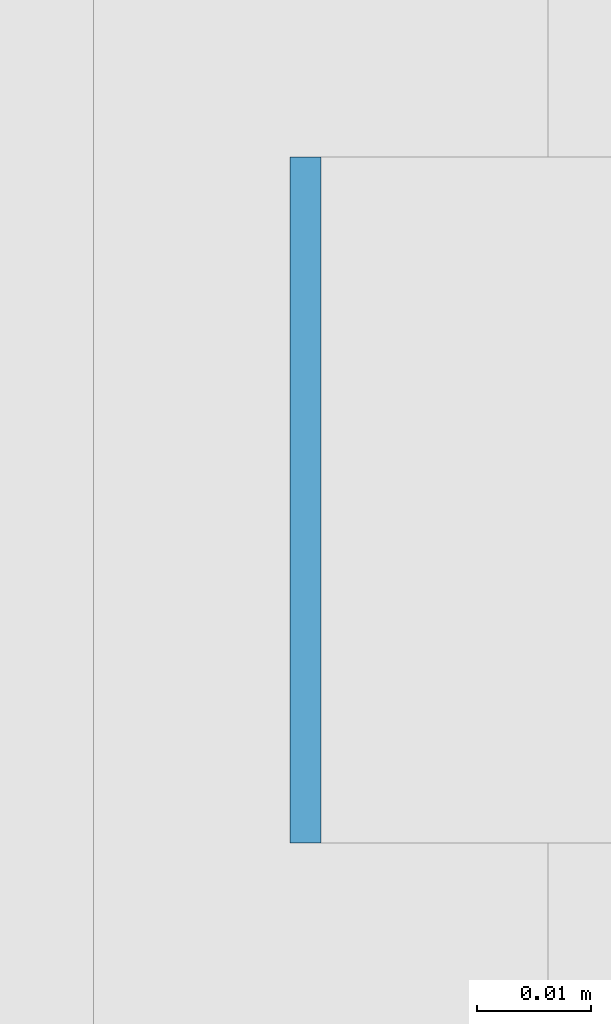
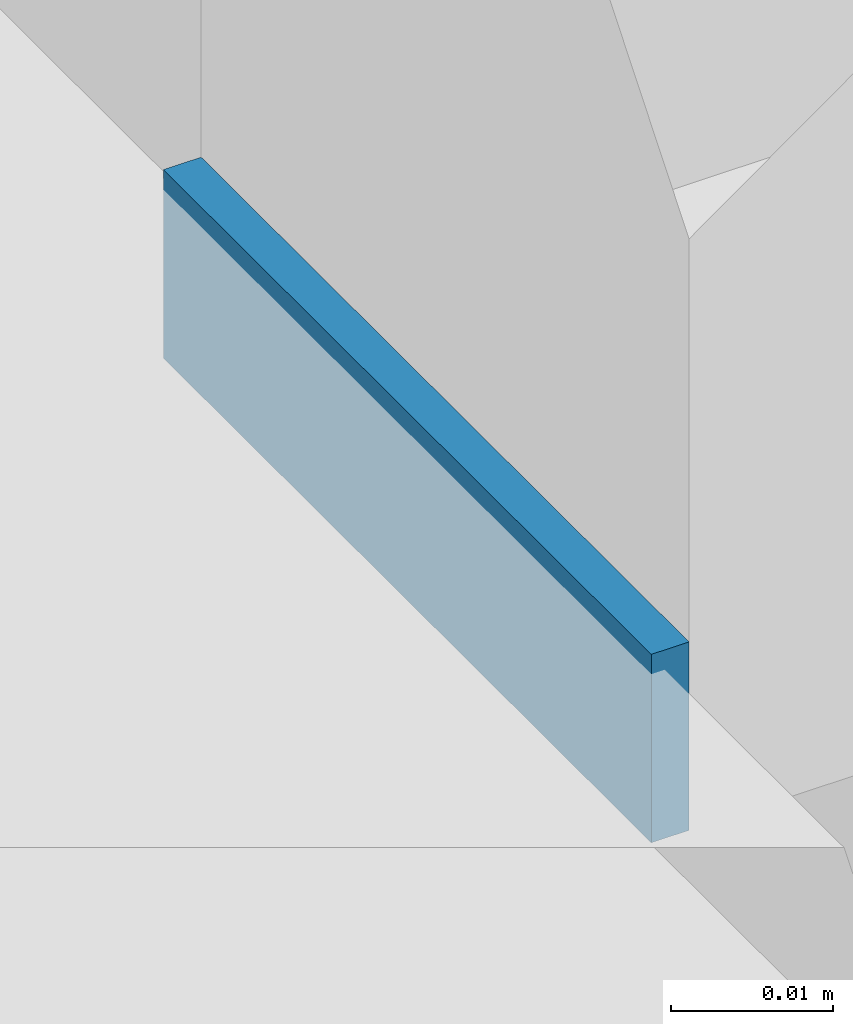
# One storey, part 506 of 646: 1 discrete accessory.
"""IFC4 building model written with IfcOpenShell, lengths in metres."""

from ifc_helpers import new_model, si_unit, direction, frame, origin, origin_2d, place, context, subcontext, project, spatial, rectangle, extrude, material, type_object, element, save


model = new_model("IFC4")

# Units and contexts
model_context = context("Model", 3, precision=1e-05, world=origin(), true_north=direction((0.0, 1.0)))
body_context = subcontext(model_context, "Body", "Model", "MODEL_VIEW")
ifc_project = project(units=[si_unit("LENGTHUNIT", "METRE"), si_unit("AREAUNIT", "SQUARE_METRE"), si_unit("VOLUMEUNIT", "CUBIC_METRE"), si_unit("PLANEANGLEUNIT", "RADIAN"), si_unit("MASSUNIT", "GRAM", prefix="KILO")], contexts=[model_context])

# Site, building, storey
site_placement = place(None, origin())
site = spatial("IfcSite", under=ifc_project, at=site_placement, CompositionType="ELEMENT")
building_placement = place(site_placement, origin())
building = spatial("IfcBuilding", under=site, at=building_placement, Name="Silverbay Arena", CompositionType="ELEMENT")
storey_placement = place(building_placement, frame((0.0, 0.0, 33.5)))
storey = spatial("IfcBuildingStorey", under=building, at=storey_placement, Name="L05", CompositionType="ELEMENT", Elevation=33.5)

# Discrete accessory
ifc_material = material(Name="Steel S355", Category="steel")
discrete_accessory_type = type_object("IfcDiscreteAccessoryType", Name="Steel bracket plate", PredefinedType="BRACKET", material=ifc_material)
discrete_accessory_placement = place(storey_placement, frame((207.128662109375, 70.71435546875, 4.0), z_axis=(0.0, 0.0, 1.0), x_axis=(1.0, 0.0, 0.0)))
element("IfcDiscreteAccessory", 1, at=discrete_accessory_placement, inside=storey, type_object=discrete_accessory_type, Name="Curtain wall packing plate", PredefinedType="BRACKET", context=body_context, shape_type="SweptSolid", body=[
    extrude(rectangle(XDim=0.002685546875, YDim=0.06005859375, at=origin_2d()), origin(), (0.0, 0.0, 1.0), 0.01416015625),
])

save(model, "model.ifc")
